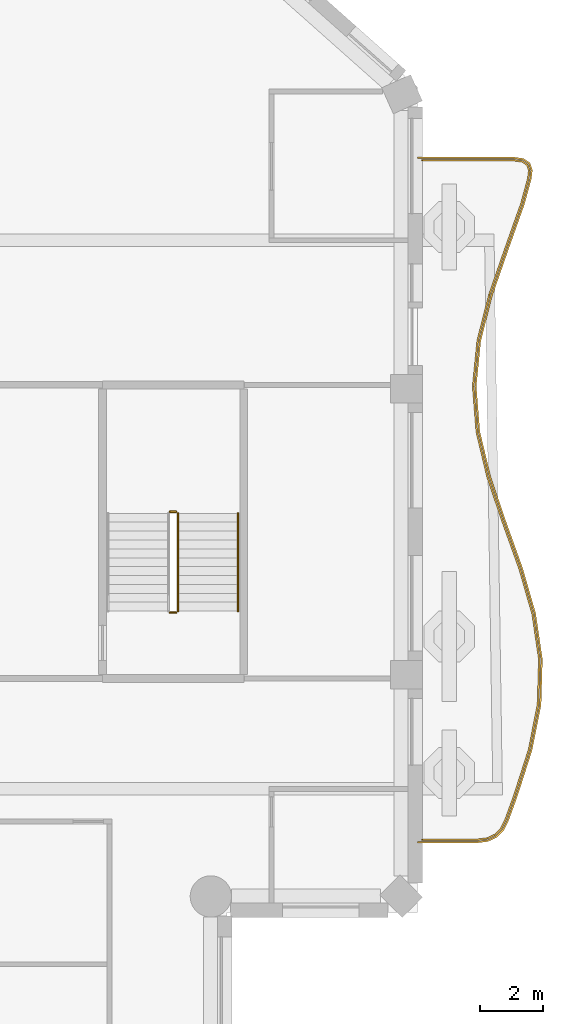
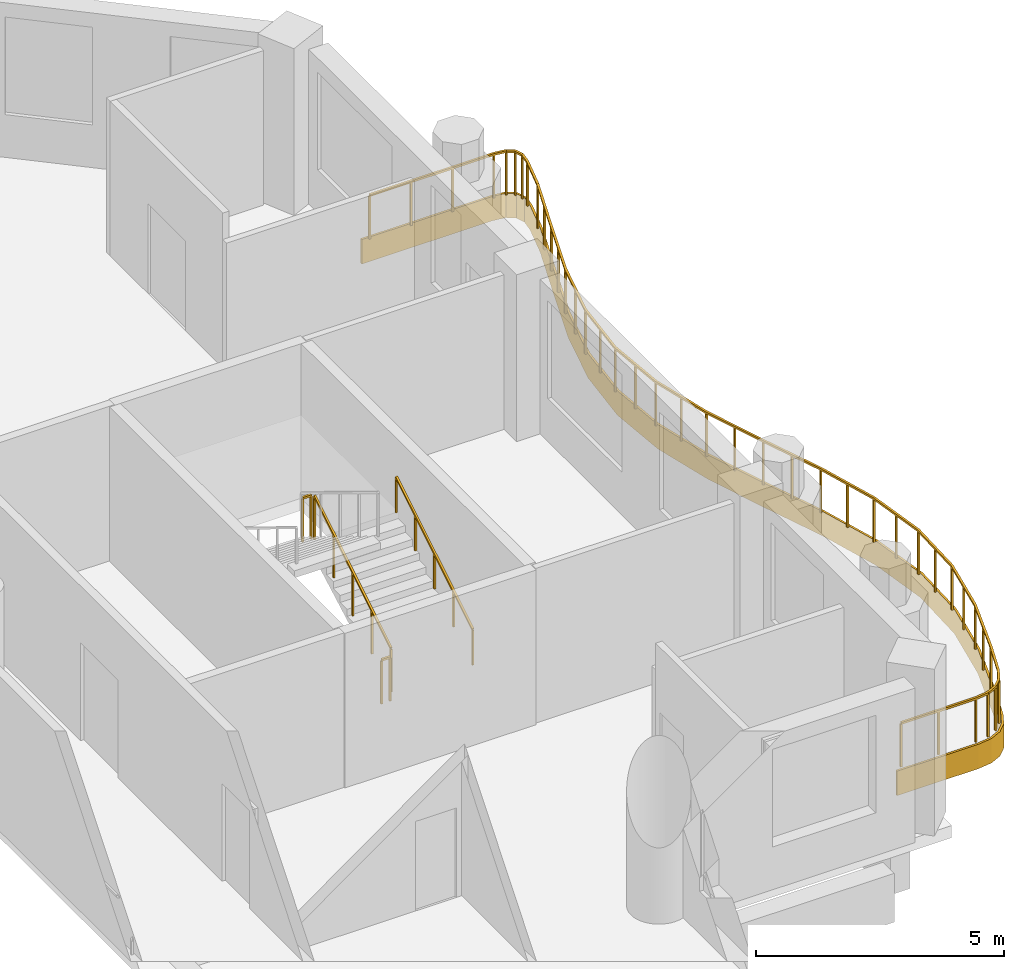
# One storey, part 16 of 18: 5 railings, 1 covering.
"""IFC4 building model written with IfcOpenShell, lengths in metres."""

from ifc_helpers import new_model, si_unit, direction, frame, origin, origin_2d, place, context, subcontext, project, spatial, polyline, rectangle, outline, extrude, material, layer, layer_set, type_object, element, save


model = new_model("IFC4")

# Units and contexts
model_context = context("Model", 3, precision=1e-05, world=origin(), true_north=direction((0.0, 1.0)))
body_context = subcontext(model_context, "Body", "Model", "MODEL_VIEW")
ifc_project = project(units=[si_unit("LENGTHUNIT", "METRE"), si_unit("AREAUNIT", "SQUARE_METRE"), si_unit("VOLUMEUNIT", "CUBIC_METRE"), si_unit("PLANEANGLEUNIT", "RADIAN"), si_unit("MASSUNIT", "GRAM", prefix="KILO")], contexts=[model_context])

# Site, building, storey
site_placement = place(None, origin())
site = spatial("IfcSite", under=ifc_project, at=site_placement, CompositionType="ELEMENT")
building_placement = place(site_placement, origin())
building = spatial("IfcBuilding", under=site, at=building_placement, Name="Cypress Arch Tower", CompositionType="ELEMENT")
storey_placement = place(building_placement, frame((0.0, 0.0, 288.5)))
storey = spatial("IfcBuildingStorey", under=building, at=storey_placement, Name="L65", CompositionType="ELEMENT", Elevation=288.5)

# Covering
ifc_material_1 = material(Name="White powder-coated aluminium fascia", Category="aluminium")
ifc_layer = layer(ifc_material_1, 0.050048828125)
ifc_layer_set = layer_set([ifc_layer], Name="Balcony fascia BF50")
covering_type = type_object("IfcCoveringType", Name="Balcony fascia BF50", PredefinedType="CLADDING", material=ifc_layer_set)
covering_placement = place(storey_placement, frame((0.0, 0.0, -0.60009765625)))
element("IfcCovering", 1, at=covering_placement, inside=storey, type_object=covering_type, Name="Balcony fascia L65-C17", PredefinedType="CLADDING", context=body_context, shape_type="SweptSolid", body=[
    extrude(outline(polyline([(27.644775390625, 11.800048828125), (27.94140625, 11.757568359375), (28.140380859375, 11.62060546875), (28.219482421875, 11.392578125), (28.181884765625, 11.09521484375), (27.96337890625, 10.3017578125), (27.454345703125, 8.86669921875), (26.95703125, 7.435546875), (26.593017578125, 6.008056640625), (26.45068359375, 4.582763671875), (26.56396484375, 3.157958984375), (26.90576171875, 1.73046875), (27.3935546875, 0.2998046875), (27.907958984375, -1.134521484375), (28.322509765625, -2.57275390625), (28.53515625, -4.013671875), (28.49267578125, -5.45556640625), (28.20556640625, -6.89599609375), (27.745361328125, -8.332763671875), (27.4580078125, -9.125), (27.307861328125, -9.4169921875), (27.09423828125, -9.63037109375), (26.821044921875, -9.75830078125), (26.495361328125, -9.800048828125), (24.60107421875, -9.800048828125), (24.60107421875, -9.75), (26.4921875, -9.75), (26.806884765625, -9.709716796875), (27.065185546875, -9.5888671875), (27.266845703125, -9.38720703125), (27.412109375, -9.10498046875), (27.697998046875, -8.316650390625), (28.1572265625, -6.88330078125), (28.44287109375, -5.449951171875), (28.485107421875, -4.0166015625), (28.273681640625, -2.583251953125), (27.8603515625, -1.14990234375), (27.346435546875, 0.283447265625), (26.85791015625, 1.716552734375), (26.514404296875, 3.14990234375), (26.400390625, 4.583251953125), (26.543701171875, 6.0166015625), (26.9091796875, 7.449951171875), (27.4072265625, 8.88330078125), (27.915771484375, 10.316650390625), (28.132568359375, 11.10498046875), (28.16845703125, 11.38720703125), (28.098388671875, 11.5888671875), (27.922607421875, 11.709716796875), (27.64111328125, 11.75), (24.60107421875, 11.75), (24.60107421875, 11.800048828125), (27.644775390625, 11.800048828125)])), origin(), (0.0, 0.0, 1.0), 0.60009765625),
])

# Railings
ifc_material_2 = material(Name="Powder-coated steel posts and rods, 100 mm clear between rods", Category="steel")
railing_type_1 = type_object("IfcRailingType", Name="Balcony guard GR1100", PredefinedType="GUARDRAIL", material=ifc_material_2)
railing_1_placement = place(storey_placement, frame((24.75, 11.699951171875, 0.0)))
element("IfcRailing", 2, at=railing_1_placement, inside=storey, type_object=railing_type_1, Name="Balcony guard L65-C17", PredefinedType="GUARDRAIL", context=body_context, shape_type="SweptSolid", body=[
    extrude(rectangle(XDim=0.050048828125, YDim=0.050048828125, at=origin_2d()), frame((0.0, 0.0, 1.0751953125), z_axis=(1.0, 0.0, 0.0), x_axis=(0.0, 1.0, 0.0)), (0.0, 0.0, 1.0), 2.8876953125),
    extrude(rectangle(XDim=0.050048828125, YDim=0.050048828125, at=origin_2d()), frame((2.8876953125, 0.0, 1.0751953125), z_axis=(0.989931338282, -0.141548385676, 0.0), x_axis=(0.141548385676, 0.989931338282, 0.0)), (0.0, 0.0, 1.0), 0.26904296875),
    extrude(rectangle(XDim=0.050048828125, YDim=0.050048828125, at=origin_2d()), frame((3.154052734375, -0.0380859375, 1.0751953125), z_axis=(0.823849572316, -0.566808505754, 0.0), x_axis=(0.566808505754, 0.823849572316, 0.0)), (0.0, 0.0, 1.0), 0.185302734375),
    extrude(rectangle(XDim=0.050048828125, YDim=0.050048828125, at=origin_2d()), frame((3.306640625, -0.14306640625, 1.0751953125), z_axis=(0.328060678503, -0.944656652557, 0.0), x_axis=(0.944656652557, 0.328060678503, 0.0)), (0.0, 0.0, 1.0), 0.185302734375),
    extrude(rectangle(XDim=0.050048828125, YDim=0.050048828125, at=origin_2d()), frame((3.367431640625, -0.318115234375, 1.0751953125), z_axis=(-0.126043361874, -0.992024733022, 0.0), x_axis=(0.992024733022, -0.126043361874, 0.0)), (0.0, 0.0, 1.0), 0.269287109375),
    extrude(rectangle(XDim=0.050048828125, YDim=0.050048828125, at=origin_2d()), frame((3.33349609375, -0.585205078125, 1.0751953125), z_axis=(-0.26517744668, -0.964199627553, 0.0), x_axis=(0.964199627553, -0.26517744668, 0.0)), (0.0, 0.0, 1.0), 0.81201171875),
    extrude(rectangle(XDim=0.050048828125, YDim=0.050048828125, at=origin_2d()), frame((3.1181640625, -1.3681640625, 1.0751953125), z_axis=(-0.334391429863, -0.942434279743, 0.0), x_axis=(0.942434279743, -0.334391429863, 0.0)), (0.0, 0.0, 1.0), 1.519287109375),
    extrude(rectangle(XDim=0.050048828125, YDim=0.050048828125, at=origin_2d()), frame((2.610107421875, -2.800048828125, 1.0751953125), z_axis=(-0.32820283314, -0.944607273061, 0.0), x_axis=(0.944607273061, -0.32820283314, 0.0)), (0.0, 0.0, 1.0), 1.519775390625),
    extrude(rectangle(XDim=0.050048828125, YDim=0.050048828125, at=origin_2d()), frame((2.111328125, -4.235595703125, 1.0751953125), z_axis=(-0.247097538208, -0.968990612241, 0.0), x_axis=(0.968990612241, -0.247097538208, 0.0)), (0.0, 0.0, 1.0), 1.485107421875),
    extrude(rectangle(XDim=0.050048828125, YDim=0.050048828125, at=origin_2d()), frame((1.744384765625, -5.674560546875, 1.0751953125), z_axis=(-0.099420298384, -0.995045528742, 0.0), x_axis=(0.995045528742, -0.099420298384, 0.0)), (0.0, 0.0, 1.0), 1.44873046875),
    extrude(rectangle(XDim=0.050048828125, YDim=0.050048828125, at=origin_2d()), frame((1.600341796875, -7.1162109375, 1.0751953125), z_axis=(0.079174883612, -0.99686074143, 0.0), x_axis=(0.99686074143, 0.079174883612, 0.0)), (0.0, 0.0, 1.0), 1.4462890625),
    extrude(rectangle(XDim=0.050048828125, YDim=0.050048828125, at=origin_2d()), frame((1.71484375, -8.557861328125, 1.0751953125), z_axis=(0.233054795347, -0.972463604648, 0.0), x_axis=(0.972463604648, 0.233054795347, 0.0)), (0.0, 0.0, 1.0), 1.480224609375),
    extrude(rectangle(XDim=0.050048828125, YDim=0.050048828125, at=origin_2d()), frame((2.059814453125, -9.997314453125, 1.0751953125), z_axis=(0.322546117265, -0.946553750316, 0.0), x_axis=(0.946553750316, 0.322546117265, 0.0)), (0.0, 0.0, 1.0), 1.516845703125),
    extrude(rectangle(XDim=0.050048828125, YDim=0.050048828125, at=origin_2d()), frame((2.549072265625, -11.43310546875, 1.0751953125), z_axis=(0.337616896036, -0.941283608436, 0.0), x_axis=(0.941283608436, 0.337616896036, 0.0)), (0.0, 0.0, 1.0), 1.521484375),
    extrude(rectangle(XDim=0.050048828125, YDim=0.050048828125, at=origin_2d()), frame((3.062744140625, -12.865234375, 1.0751953125), z_axis=(0.276997405035, -0.960870666429, 0.0), x_axis=(0.960870666429, 0.276997405035, 0.0)), (0.0, 0.0, 1.0), 1.48681640625),
    extrude(rectangle(XDim=0.050048828125, YDim=0.050048828125, at=origin_2d()), frame((3.474609375, -14.2939453125, 1.0751953125), z_axis=(0.14604514012, -0.9892779271, 0.0), x_axis=(0.9892779271, 0.14604514012, 0.0)), (0.0, 0.0, 1.0), 1.44091796875),
    extrude(rectangle(XDim=0.050048828125, YDim=0.050048828125, at=origin_2d()), frame((3.68505859375, -15.719482421875, 1.0751953125), z_axis=(-0.029630575537, -0.9995609181, 0.0), x_axis=(0.9995609181, -0.029630575537, 0.0)), (0.0, 0.0, 1.0), 1.425537109375),
    extrude(rectangle(XDim=0.050048828125, YDim=0.050048828125, at=origin_2d()), frame((3.642822265625, -17.144287109375, 1.0751953125), z_axis=(-0.195373679607, -0.98072887452, 0.0), x_axis=(0.98072887452, -0.195373679607, 0.0)), (0.0, 0.0, 1.0), 1.45458984375),
    extrude(rectangle(XDim=0.050048828125, YDim=0.050048828125, at=origin_2d()), frame((3.358642578125, -18.57080078125, 1.0751953125), z_axis=(-0.304935050297, -0.952373149086, 0.0), x_axis=(0.952373149086, -0.304935050297, 0.0)), (0.0, 0.0, 1.0), 1.501220703125),
    extrude(rectangle(XDim=0.050048828125, YDim=0.050048828125, at=origin_2d()), frame((2.90087890625, -20.00048828125, 1.0751953125), z_axis=(-0.341132232205, -0.940015319104, 0.0), x_axis=(0.940015319104, -0.341132232205, 0.0)), (0.0, 0.0, 1.0), 0.83447265625),
    extrude(rectangle(XDim=0.050048828125, YDim=0.050048828125, at=origin_2d()), frame((2.6162109375, -20.784912109375, 1.0751953125), z_axis=(-0.457384021632, -0.889269282476, 0.0), x_axis=(0.889269282476, -0.457384021632, 0.0)), (0.0, 0.0, 1.0), 0.306396484375),
    extrude(rectangle(XDim=0.050048828125, YDim=0.050048828125, at=origin_2d()), frame((2.47607421875, -21.057373046875, 1.0751953125), z_axis=(-0.707561365926, -0.706651904016, 0.0), x_axis=(0.706651904016, -0.707561365926, 0.0)), (0.0, 0.0, 1.0), 0.2685546875),
    extrude(rectangle(XDim=0.050048828125, YDim=0.050048828125, at=origin_2d()), frame((2.2861328125, -21.2470703125, 1.0751953125), z_axis=(-0.90557889187, -0.424177876132, 0.0), x_axis=(0.424177876132, -0.90557889187, 0.0)), (0.0, 0.0, 1.0), 0.268798828125),
    extrude(rectangle(XDim=0.050048828125, YDim=0.050048828125, at=origin_2d()), frame((2.042724609375, -21.361083984375, 1.0751953125), z_axis=(-0.991930588681, -0.126782125081, 0.0), x_axis=(0.126782125081, -0.991930588681, 0.0)), (0.0, 0.0, 1.0), 0.30615234375),
    extrude(rectangle(XDim=0.050048828125, YDim=0.050048828125, at=origin_2d()), frame((1.739013671875, -21.39990234375, 1.0751953125), z_axis=(-1.0, 0.0, 0.0), x_axis=(0.0, -1.0, 0.0)), (0.0, 0.0, 1.0), 1.739013671875),
    extrude(rectangle(XDim=0.0400390625, YDim=0.0400390625, at=origin_2d()), origin(), (0.0, 0.0, 1.0), 1.050048828125),
    extrude(rectangle(XDim=0.0400390625, YDim=0.0400390625, at=origin_2d()), frame((0.962646484375, 0.0, 0.0)), (0.0, 0.0, 1.0), 1.050048828125),
    extrude(rectangle(XDim=0.0400390625, YDim=0.0400390625, at=origin_2d()), frame((1.925048828125, 0.0, 0.0)), (0.0, 0.0, 1.0), 1.050048828125),
    extrude(rectangle(XDim=0.0400390625, YDim=0.0400390625, at=origin_2d()), frame((2.8876953125, 0.0, 0.0)), (0.0, 0.0, 1.0), 1.050048828125),
    extrude(rectangle(XDim=0.0400390625, YDim=0.0400390625, at=origin_2d()), frame((3.154052734375, -0.0380859375, 0.0)), (0.0, 0.0, 1.0), 1.050048828125),
    extrude(rectangle(XDim=0.0400390625, YDim=0.0400390625, at=origin_2d()), frame((3.306640625, -0.14306640625, 0.0)), (0.0, 0.0, 1.0), 1.050048828125),
    extrude(rectangle(XDim=0.0400390625, YDim=0.0400390625, at=origin_2d()), frame((3.367431640625, -0.318115234375, 0.0)), (0.0, 0.0, 1.0), 1.050048828125),
    extrude(rectangle(XDim=0.0400390625, YDim=0.0400390625, at=origin_2d()), frame((3.33349609375, -0.585205078125, 0.0)), (0.0, 0.0, 1.0), 1.050048828125),
    extrude(rectangle(XDim=0.0400390625, YDim=0.0400390625, at=origin_2d()), frame((3.1181640625, -1.3681640625, 0.0)), (0.0, 0.0, 1.0), 1.050048828125),
    extrude(rectangle(XDim=0.0400390625, YDim=0.0400390625, at=origin_2d()), frame((2.8642578125, -2.083984375, 0.0)), (0.0, 0.0, 1.0), 1.050048828125),
    extrude(rectangle(XDim=0.0400390625, YDim=0.0400390625, at=origin_2d()), frame((2.610107421875, -2.800048828125, 0.0)), (0.0, 0.0, 1.0), 1.050048828125),
    extrude(rectangle(XDim=0.0400390625, YDim=0.0400390625, at=origin_2d()), frame((2.36083984375, -3.517822265625, 0.0)), (0.0, 0.0, 1.0), 1.050048828125),
    extrude(rectangle(XDim=0.0400390625, YDim=0.0400390625, at=origin_2d()), frame((2.111328125, -4.235595703125, 0.0)), (0.0, 0.0, 1.0), 1.050048828125),
    extrude(rectangle(XDim=0.0400390625, YDim=0.0400390625, at=origin_2d()), frame((1.927734375, -4.955078125, 0.0)), (0.0, 0.0, 1.0), 1.050048828125),
    extrude(rectangle(XDim=0.0400390625, YDim=0.0400390625, at=origin_2d()), frame((1.744384765625, -5.674560546875, 0.0)), (0.0, 0.0, 1.0), 1.050048828125),
    extrude(rectangle(XDim=0.0400390625, YDim=0.0400390625, at=origin_2d()), frame((1.67236328125, -6.3955078125, 0.0)), (0.0, 0.0, 1.0), 1.050048828125),
    extrude(rectangle(XDim=0.0400390625, YDim=0.0400390625, at=origin_2d()), frame((1.600341796875, -7.1162109375, 0.0)), (0.0, 0.0, 1.0), 1.050048828125),
    extrude(rectangle(XDim=0.0400390625, YDim=0.0400390625, at=origin_2d()), frame((1.65771484375, -7.8369140625, 0.0)), (0.0, 0.0, 1.0), 1.050048828125),
    extrude(rectangle(XDim=0.0400390625, YDim=0.0400390625, at=origin_2d()), frame((1.71484375, -8.557861328125, 0.0)), (0.0, 0.0, 1.0), 1.050048828125),
    extrude(rectangle(XDim=0.0400390625, YDim=0.0400390625, at=origin_2d()), frame((1.88720703125, -9.277587890625, 0.0)), (0.0, 0.0, 1.0), 1.050048828125),
    extrude(rectangle(XDim=0.0400390625, YDim=0.0400390625, at=origin_2d()), frame((2.059814453125, -9.997314453125, 0.0)), (0.0, 0.0, 1.0), 1.050048828125),
    extrude(rectangle(XDim=0.0400390625, YDim=0.0400390625, at=origin_2d()), frame((2.304443359375, -10.71533203125, 0.0)), (0.0, 0.0, 1.0), 1.050048828125),
    extrude(rectangle(XDim=0.0400390625, YDim=0.0400390625, at=origin_2d()), frame((2.549072265625, -11.43310546875, 0.0)), (0.0, 0.0, 1.0), 1.050048828125),
    extrude(rectangle(XDim=0.0400390625, YDim=0.0400390625, at=origin_2d()), frame((2.805908203125, -12.149169921875, 0.0)), (0.0, 0.0, 1.0), 1.050048828125),
    extrude(rectangle(XDim=0.0400390625, YDim=0.0400390625, at=origin_2d()), frame((3.062744140625, -12.865234375, 0.0)), (0.0, 0.0, 1.0), 1.050048828125),
    extrude(rectangle(XDim=0.0400390625, YDim=0.0400390625, at=origin_2d()), frame((3.2685546875, -13.57958984375, 0.0)), (0.0, 0.0, 1.0), 1.050048828125),
    extrude(rectangle(XDim=0.0400390625, YDim=0.0400390625, at=origin_2d()), frame((3.474609375, -14.2939453125, 0.0)), (0.0, 0.0, 1.0), 1.050048828125),
    extrude(rectangle(XDim=0.0400390625, YDim=0.0400390625, at=origin_2d()), frame((3.579833984375, -15.0068359375, 0.0)), (0.0, 0.0, 1.0), 1.050048828125),
    extrude(rectangle(XDim=0.0400390625, YDim=0.0400390625, at=origin_2d()), frame((3.68505859375, -15.719482421875, 0.0)), (0.0, 0.0, 1.0), 1.050048828125),
    extrude(rectangle(XDim=0.0400390625, YDim=0.0400390625, at=origin_2d()), frame((3.6640625, -16.431884765625, 0.0)), (0.0, 0.0, 1.0), 1.050048828125),
    extrude(rectangle(XDim=0.0400390625, YDim=0.0400390625, at=origin_2d()), frame((3.642822265625, -17.144287109375, 0.0)), (0.0, 0.0, 1.0), 1.050048828125),
    extrude(rectangle(XDim=0.0400390625, YDim=0.0400390625, at=origin_2d()), frame((3.500732421875, -17.857421875, 0.0)), (0.0, 0.0, 1.0), 1.050048828125),
    extrude(rectangle(XDim=0.0400390625, YDim=0.0400390625, at=origin_2d()), frame((3.358642578125, -18.57080078125, 0.0)), (0.0, 0.0, 1.0), 1.050048828125),
    extrude(rectangle(XDim=0.0400390625, YDim=0.0400390625, at=origin_2d()), frame((3.1298828125, -19.28564453125, 0.0)), (0.0, 0.0, 1.0), 1.050048828125),
    extrude(rectangle(XDim=0.0400390625, YDim=0.0400390625, at=origin_2d()), frame((2.90087890625, -20.00048828125, 0.0)), (0.0, 0.0, 1.0), 1.050048828125),
    extrude(rectangle(XDim=0.0400390625, YDim=0.0400390625, at=origin_2d()), frame((2.6162109375, -20.784912109375, 0.0)), (0.0, 0.0, 1.0), 1.050048828125),
    extrude(rectangle(XDim=0.0400390625, YDim=0.0400390625, at=origin_2d()), frame((2.47607421875, -21.057373046875, 0.0)), (0.0, 0.0, 1.0), 1.050048828125),
    extrude(rectangle(XDim=0.0400390625, YDim=0.0400390625, at=origin_2d()), frame((2.2861328125, -21.2470703125, 0.0)), (0.0, 0.0, 1.0), 1.050048828125),
    extrude(rectangle(XDim=0.0400390625, YDim=0.0400390625, at=origin_2d()), frame((2.042724609375, -21.361083984375, 0.0)), (0.0, 0.0, 1.0), 1.050048828125),
    extrude(rectangle(XDim=0.0400390625, YDim=0.0400390625, at=origin_2d()), frame((1.739013671875, -21.39990234375, 0.0)), (0.0, 0.0, 1.0), 1.050048828125),
    extrude(rectangle(XDim=0.0400390625, YDim=0.0400390625, at=origin_2d()), frame((0.86962890625, -21.39990234375, 0.0)), (0.0, 0.0, 1.0), 1.050048828125),
    extrude(rectangle(XDim=0.0400390625, YDim=0.0400390625, at=origin_2d()), frame((0.0, -21.39990234375, 0.0)), (0.0, 0.0, 1.0), 1.050048828125),
])
ifc_material_3 = material(Name="Black powder-coated steel square bar 48 mm", Category="steel")
railing_type_2 = type_object("IfcRailingType", Name="Stair handrail HR1", PredefinedType="HANDRAIL", material=ifc_material_3)
railing_2_placement = place(storey_placement, frame((18.949951171875, -2.5, 0.1708984375)))
element("IfcRailing", 3, at=railing_2_placement, inside=storey, type_object=railing_type_2, Name="L65 C stair handrail 1", PredefinedType="HANDRAIL", context=body_context, shape_type="SweptSolid", body=[
    extrude(rectangle(XDim=0.048095703125, YDim=0.048095703125, at=origin_2d()), frame((0.0, 0.0, 0.8759765625), z_axis=(0.0, 0.853666305674, 0.52082035152), x_axis=(-1.0, 0.0, 0.0)), (0.0, 0.0, 1.0), 3.608154296875),
    extrude(rectangle(XDim=0.0419921875, YDim=0.0419921875, at=origin_2d()), origin(), (0.0, 0.0, 1.0), 0.851806640625),
    extrude(rectangle(XDim=0.0419921875, YDim=0.0419921875, at=origin_2d()), frame((0.0, 0.77001953125, 0.4697265625)), (0.0, 0.0, 1.0), 0.851806640625),
    extrude(rectangle(XDim=0.0419921875, YDim=0.0419921875, at=origin_2d()), frame((0.0, 1.5400390625, 0.939453125)), (0.0, 0.0, 1.0), 0.851806640625),
    extrude(rectangle(XDim=0.0419921875, YDim=0.0419921875, at=origin_2d()), frame((0.0, 2.31005859375, 1.409423828125)), (0.0, 0.0, 1.0), 0.851806640625),
    extrude(rectangle(XDim=0.0419921875, YDim=0.0419921875, at=origin_2d()), frame((0.0, 3.080078125, 1.879150390625)), (0.0, 0.0, 1.0), 0.851806640625),
])
ifc_material_4 = material(Name="Black powder-coated steel balusters", Category="steel")
railing_type_3 = type_object("IfcRailingType", Name="Stair well guard G1", PredefinedType="GUARDRAIL", material=ifc_material_4)
railing_3_placement = place(storey_placement, frame((17.050048828125, -2.5, 0.1708984375)))
element("IfcRailing", 4, at=railing_3_placement, inside=storey, type_object=railing_type_3, Name="L65 C stair guard 1", PredefinedType="GUARDRAIL", context=body_context, shape_type="SweptSolid", body=[
    extrude(rectangle(XDim=0.048095703125, YDim=0.048095703125, at=origin_2d()), frame((0.0, 0.0, 1.076171875), z_axis=(0.0, 0.853666305674, 0.52082035152), x_axis=(-1.0, 0.0, 0.0)), (0.0, 0.0, 1.0), 3.608154296875),
    extrude(rectangle(XDim=0.0419921875, YDim=0.0419921875, at=origin_2d()), origin(), (0.0, 0.0, 1.0), 1.052001953125),
    extrude(rectangle(XDim=0.0419921875, YDim=0.0419921875, at=origin_2d()), frame((0.0, 0.77001953125, 0.4697265625)), (0.0, 0.0, 1.0), 1.052001953125),
    extrude(rectangle(XDim=0.0419921875, YDim=0.0419921875, at=origin_2d()), frame((0.0, 1.5400390625, 0.939453125)), (0.0, 0.0, 1.0), 1.052001953125),
    extrude(rectangle(XDim=0.0419921875, YDim=0.0419921875, at=origin_2d()), frame((0.0, 2.31005859375, 1.409423828125)), (0.0, 0.0, 1.0), 1.052001953125),
    extrude(rectangle(XDim=0.0419921875, YDim=0.0419921875, at=origin_2d()), frame((0.0, 3.080078125, 1.879150390625)), (0.0, 0.0, 1.0), 1.052001953125),
])
for number, where, name in (
    (5, (17.0, 0.6298828125, 2.050048828125), "L65 C stair guard 2"),
    (6, (17.0, -2.550048828125, 0.0), "L65 C stair guard 4"),
):
    element("IfcRailing", number, at=place(storey_placement, frame(where)), inside=storey, type_object=railing_type_3, Name=name, PredefinedType="GUARDRAIL", context=body_context, shape_type="SweptSolid", body=[
        extrude(rectangle(XDim=0.048095703125, YDim=0.048095703125, at=origin_2d()), frame((0.0, 0.0, 1.076171875), z_axis=(-1.0, 0.0, 0.0), x_axis=(0.0, -1.0, 0.0)), (0.0, 0.0, 1.0), 0.199951171875),
        extrude(rectangle(XDim=0.0419921875, YDim=0.0419921875, at=origin_2d()), origin(), (0.0, 0.0, 1.0), 1.052001953125),
        extrude(rectangle(XDim=0.0419921875, YDim=0.0419921875, at=origin_2d()), frame((-0.199951171875, 0.0, 0.0)), (0.0, 0.0, 1.0), 1.052001953125),
    ])

save(model, "model.ifc")
